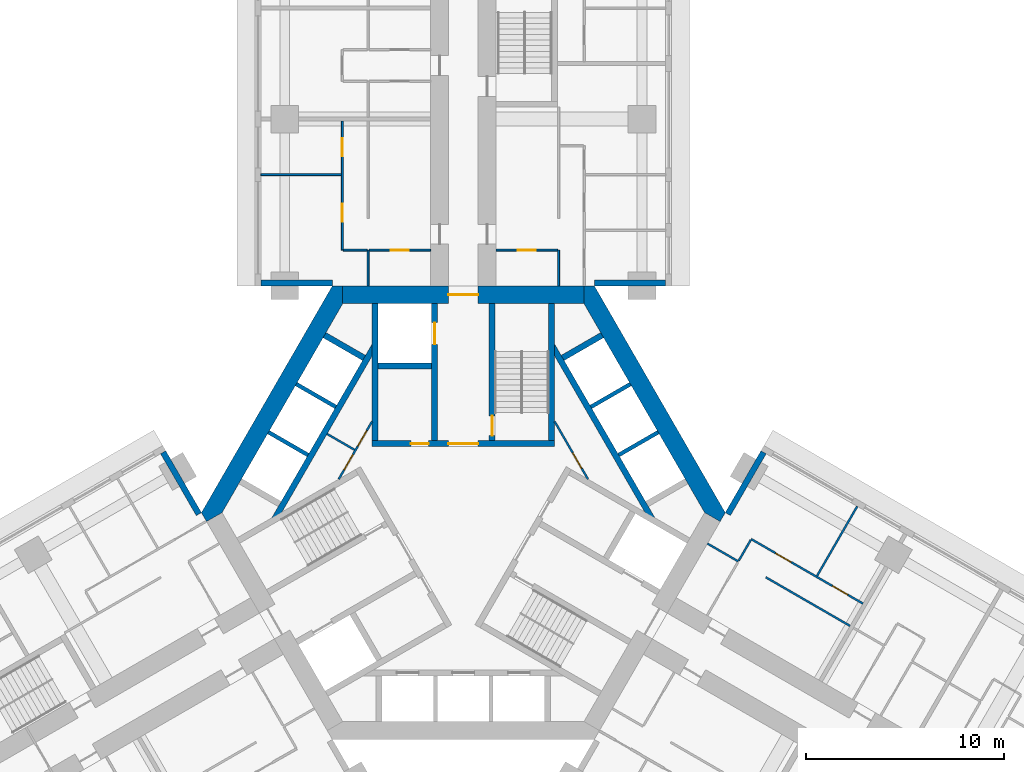
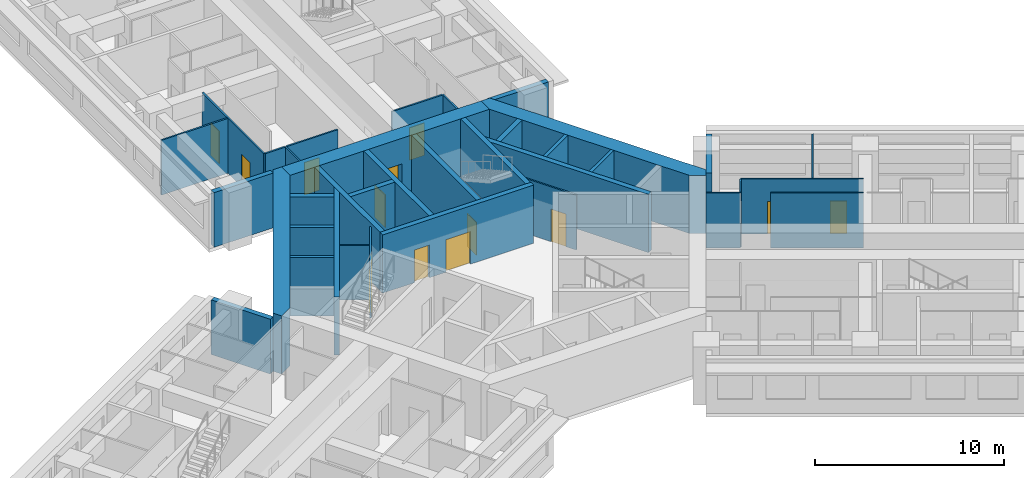
# One storey, part 8 of 16: 36 walls, 14 doors, 14 openings.
"""IFC4 building model written with IfcOpenShell, lengths in metres."""

from ifc_helpers import new_model, si_unit, direction, frame, frame_2d, origin, place, context, subcontext, project, spatial, polyline, rectangle, outline, extrude, material, layer, layer_set, type_object, element, fill, save


model = new_model("IFC4")

# Units and contexts
model_context = context("Model", 3, precision=1e-05, world=origin(), true_north=direction((0.0, 1.0)))
body_context = subcontext(model_context, "Body", "Model", "MODEL_VIEW")
ifc_project = project(units=[si_unit("LENGTHUNIT", "METRE"), si_unit("AREAUNIT", "SQUARE_METRE"), si_unit("VOLUMEUNIT", "CUBIC_METRE"), si_unit("PLANEANGLEUNIT", "RADIAN"), si_unit("MASSUNIT", "GRAM", prefix="KILO")], contexts=[model_context])

# Site, building, storey
site_placement = place(None, origin())
site = spatial("IfcSite", under=ifc_project, at=site_placement, CompositionType="ELEMENT")
building_placement = place(site_placement, origin())
building = spatial("IfcBuilding", under=site, at=building_placement, Name="Impinga Residences", CompositionType="ELEMENT")
storey_placement = place(building_placement, frame((0.0, 0.0, 63.5)))
storey = spatial("IfcBuildingStorey", under=building, at=storey_placement, Name="L15", CompositionType="ELEMENT", Elevation=63.5)

# Wall, opening, door
ifc_material_1 = material(Name="Concrete blockwork", Category="masonry")
ifc_layer_1 = layer(ifc_material_1, 0.10009765625)
ifc_layer_set_1 = layer_set([ifc_layer_1], Name="CP1 core room partition, blockwork 100")
wall_type_1 = type_object("IfcWallType", Name="CP1 core room partition, blockwork 100", PredefinedType="PARTITIONING", material=ifc_layer_set_1)
wall_1_placement = place(storey_placement, frame((4.60009765625, 4.595703125, 0.0), z_axis=(0.0, 0.0, 1.0), x_axis=(0.499976138585, -0.866039179741, 0.0)))
wall_1 = element("IfcWall", 1, at=wall_1_placement, inside=storey, type_object=wall_type_1, Name="Core room partition, blockwork L15:CORE:mid:FP", PredefinedType="PARTITIONING", context=body_context, shape_type="SweptSolid", body=[
    extrude(rectangle(XDim=3.360107421875, YDim=0.10009765625, at=frame_2d((1.68017578125, 0.0))), origin(), (0.0, 0.0, 1.0), 3.530029296875),
])
opening_1_placement = place(wall_1_placement, frame((1.829833984375, 0.0, 0.0)))
opening_1 = element("IfcOpeningElement", 2, at=opening_1_placement, cuts=wall_1, Name="Opening D6", PredefinedType="OPENING", context=body_context, shape_type="SweptSolid", body=[
    extrude(rectangle(XDim=0.89990234375, YDim=2.10009765625, at=frame_2d((0.449951171875, 1.050048828125))), frame((0.0, 0.06005859375, 0.0), z_axis=(0.0, -1.0, 0.0), x_axis=(1.0, 0.0, 0.0)), (0.0, 0.0, 1.0), 0.1201171875),
])
ifc_material_2 = material(Name="Timber door set", Category="wood")
door_type_1 = type_object("IfcDoorType", Name="D6 riser and store door 900x2100", OperationType="SINGLE_SWING_LEFT", PredefinedType="DOOR", material=ifc_material_2)
door_1_placement = place(opening_1_placement, origin())
door_1 = element("IfcDoor", 3, at=door_1_placement, inside=storey, type_object=door_type_1, Name="Residents' storage lockers door", OperationType="SINGLE_SWING_RIGHT", OverallHeight=2.10009765625, OverallWidth=0.89990234375, PredefinedType="DOOR", context=body_context, shape_type="SweptSolid", body=[
    extrude(rectangle(XDim=0.89990234375, YDim=2.10009765625, at=frame_2d((0.449951171875, 1.050048828125))), frame((0.0, 0.02490234375, 0.0), z_axis=(0.0, -1.0, 0.0), x_axis=(1.0, 0.0, 0.0)), (0.0, 0.0, 1.0), 0.050048828125),
])
fill(opening_1, door_1)

# Wall, openings, doors
wall_2_placement = place(storey_placement, frame((-6.280029296875, 1.685791015625, 0.0), z_axis=(0.0, 0.0, 1.0), x_axis=(0.499976138585, 0.866039179741, 0.0)))
wall_2 = element("IfcWall", 4, at=wall_2_placement, inside=storey, type_object=wall_type_1, Name="Core room partition, blockwork L15:CORE:high:FP", PredefinedType="PARTITIONING", context=body_context, shape_type="SweptSolid", body=[
    extrude(rectangle(XDim=3.360107421875, YDim=0.10009765625, at=frame_2d((1.68017578125, 0.0))), origin(), (0.0, 0.0, 1.0), 3.530029296875),
])
opening_2_placement = place(wall_2_placement, frame((0.530029296875, 0.0, 0.0)))
opening_2 = element("IfcOpeningElement", 5, at=opening_2_placement, cuts=wall_2, Name="Opening D6", PredefinedType="OPENING", context=body_context, shape_type="SweptSolid", body=[
    extrude(rectangle(XDim=0.89990234375, YDim=2.10009765625, at=frame_2d((0.449951171875, 1.050048828125))), frame((0.0, 0.06005859375, 0.0), z_axis=(0.0, -1.0, 0.0), x_axis=(1.0, 0.0, 0.0)), (0.0, 0.0, 1.0), 0.1201171875),
])
opening_3_placement = place(wall_2_placement, frame((1.929931640625, 0.0, 0.0)))
opening_3 = element("IfcOpeningElement", 6, at=opening_3_placement, cuts=wall_2, Name="Opening D6", PredefinedType="OPENING", context=body_context, shape_type="SweptSolid", body=[
    extrude(rectangle(XDim=0.89990234375, YDim=2.10009765625, at=frame_2d((0.449951171875, 1.050048828125))), frame((0.0, 0.06005859375, 0.0), z_axis=(0.0, -1.0, 0.0), x_axis=(1.0, 0.0, 0.0)), (0.0, 0.0, 1.0), 0.1201171875),
])
door_2_placement = place(opening_2_placement, origin())
door_2 = element("IfcDoor", 7, at=door_2_placement, inside=storey, type_object=door_type_1, Name="Refuse room door", OperationType="SINGLE_SWING_LEFT", OverallHeight=2.10009765625, OverallWidth=0.89990234375, PredefinedType="DOOR", context=body_context, shape_type="SweptSolid", body=[
    extrude(rectangle(XDim=0.89990234375, YDim=2.10009765625, at=frame_2d((0.449951171875, 1.050048828125))), frame((0.0, 0.02490234375, 0.0), z_axis=(0.0, -1.0, 0.0), x_axis=(1.0, 0.0, 0.0)), (0.0, 0.0, 1.0), 0.050048828125),
])
fill(opening_2, door_2)
door_3_placement = place(opening_3_placement, origin())
door_3 = element("IfcDoor", 8, at=door_3_placement, inside=storey, type_object=door_type_1, Name="Recycling store door", OperationType="SINGLE_SWING_RIGHT", OverallHeight=2.10009765625, OverallWidth=0.89990234375, PredefinedType="DOOR", context=body_context, shape_type="SweptSolid", body=[
    extrude(rectangle(XDim=0.89990234375, YDim=2.10009765625, at=frame_2d((0.449951171875, 1.050048828125))), frame((0.0, 0.02490234375, 0.0), z_axis=(0.0, -1.0, 0.0), x_axis=(1.0, 0.0, 0.0)), (0.0, 0.0, 1.0), 0.050048828125),
])
fill(opening_3, door_3)

# Walls
wall_3_placement = place(storey_placement, frame((-5.483154296875, 3.165771484375, 0.0), z_axis=(0.0, 0.0, 1.0), x_axis=(-0.866028054938, 0.499995408039, 0.0)))
element("IfcWall", 9, at=wall_3_placement, inside=storey, type_object=wall_type_1, Name="Core room partition, blockwork L15:CORE:high:FS", PredefinedType="PARTITIONING", context=body_context, shape_type="SweptSolid", body=[
    extrude(rectangle(XDim=1.60009765625, YDim=0.10009765625, at=frame_2d((0.800048828125, 0.0))), origin(), (0.0, 0.0, 1.0), 3.530029296875),
])
ifc_material_3 = material(Name="Terracotta rainscreen on blockwork", Category="masonry")
ifc_layer_2 = layer(ifc_material_3, 0.300048828125)
ifc_layer_set_2 = layer_set([ifc_layer_2], Name="EW1 external wall, terracotta rainscreen on blockwork 300")
wall_type_2 = type_object("IfcWallType", Name="EW1 external wall, terracotta rainscreen on blockwork 300", PredefinedType="SOLIDWALL", material=ifc_layer_set_2)
wall_4_placement = place(storey_placement, frame((-15.1298828125, 3.042724609375, 0.0), z_axis=(0.0, 0.0, 1.0), x_axis=(0.500012057535, -0.866018442252, 0.0)))
element("IfcWall", 10, at=wall_4_placement, inside=storey, type_object=wall_type_2, Name="External wall EW1 L15", PredefinedType="SOLIDWALL", context=body_context, shape_type="SweptSolid", body=[
    extrude(rectangle(XDim=3.60009765625, YDim=0.300048828125, at=frame_2d((1.800048828125, 0.0))), origin(), (0.0, 0.0, 1.0), 3.530029296875),
])
for number, where, z_axis, x_axis, name in (
    (11, (-6.60009765625, 11.58154296875, 0.0), (0.0, 0.0, 1.0), (-1.0, 0.0, 0.0), "External wall EW1 L15"),
    (12, (10.199951171875, 11.58154296875, 0.0), (0.0, 0.0, 1.0), (-1.0, 0.0, 0.0), "External wall EW1 L15"),
):
    element("IfcWall", number, at=place(storey_placement, frame(where, z_axis=z_axis, x_axis=x_axis)), inside=storey, type_object=wall_type_2, Name=name, PredefinedType="SOLIDWALL", context=body_context, shape_type="SweptSolid", body=[
        extrude(rectangle(XDim=3.599853515625, YDim=0.300048828125, at=frame_2d((1.7998046875, 0.0))), origin(), (0.0, 0.0, 1.0), 3.530029296875),
    ])
wall_5_placement = place(storey_placement, frame((13.329833984375, -0.074951171875, 0.0), z_axis=(0.0, 0.0, 1.0), x_axis=(0.500012057535, 0.866018442252, 0.0)))
element("IfcWall", 13, at=wall_5_placement, inside=storey, type_object=wall_type_2, Name="External wall EW1 L15", PredefinedType="SOLIDWALL", context=body_context, shape_type="SweptSolid", body=[
    extrude(rectangle(XDim=3.60009765625, YDim=0.300048828125, at=frame_2d((1.800048828125, 0.0))), origin(), (0.0, 0.0, 1.0), 3.530029296875),
])
ifc_material_4 = material(Name="Gypsum board on steel studs", Category="steel")
ifc_layer_3 = layer(ifc_material_4, 0.10009765625)
ifc_layer_set_3 = layer_set([ifc_layer_3], Name="Gypsum board on steel studs")
wall_type_3 = type_object("IfcWallType", Name="IP1 partition 100", PredefinedType="PARTITIONING", material=ifc_layer_set_3)
wall_6_placement = place(storey_placement, frame((-4.800048828125, 11.431640625, 0.0), z_axis=(0.0, 0.0, 1.0), x_axis=(0.0, 1.0, 0.0)))
element("IfcWall", 14, at=wall_6_placement, inside=storey, type_object=wall_type_3, Name="Partition L15-NA1:DIV0", PredefinedType="PARTITIONING", context=body_context, shape_type="SweptSolid", body=[
    extrude(rectangle(XDim=1.7998046875, YDim=0.10009765625, at=frame_2d((0.89990234375, 0.0))), origin(), (0.0, 0.0, 1.0), 3.530029296875),
])

# Wall, openings, doors
wall_7_placement = place(storey_placement, frame((-6.10009765625, 13.2314453125, 0.0), z_axis=(0.0, 0.0, 1.0), x_axis=(0.0, 1.0, 0.0)))
wall_7 = element("IfcWall", 15, at=wall_7_placement, inside=storey, type_object=wall_type_3, Name="Partition L15-NA1:STRIP", PredefinedType="PARTITIONING", context=body_context, shape_type="SweptSolid", body=[
    extrude(rectangle(XDim=6.5, YDim=0.10009765625, at=frame_2d((3.25, 0.0))), origin(), (0.0, 0.0, 1.0), 3.530029296875),
])
opening_4_placement = place(wall_7_placement, frame((1.425048828125, 0.0, 0.0)))
opening_4 = element("IfcOpeningElement", 16, at=opening_4_placement, cuts=wall_7, Name="Opening D2", PredefinedType="OPENING", context=body_context, shape_type="SweptSolid", body=[
    extrude(rectangle(XDim=0.89990234375, YDim=2.10009765625, at=frame_2d((0.449951171875, 1.050048828125))), frame((0.0, 0.06005859375, 0.0), z_axis=(0.0, -1.0, 0.0), x_axis=(1.0, 0.0, 0.0)), (0.0, 0.0, 1.0), 0.1201171875),
])
opening_5_placement = place(wall_7_placement, frame((4.72509765625, 0.0, 0.0)))
opening_5 = element("IfcOpeningElement", 17, at=opening_5_placement, cuts=wall_7, Name="Opening D2", PredefinedType="OPENING", context=body_context, shape_type="SweptSolid", body=[
    extrude(rectangle(XDim=0.89990234375, YDim=2.10009765625, at=frame_2d((0.449951171875, 1.050048828125))), frame((0.0, 0.06005859375, 0.0), z_axis=(0.0, -1.0, 0.0), x_axis=(1.0, 0.0, 0.0)), (0.0, 0.0, 1.0), 0.1201171875),
])
door_type_2 = type_object("IfcDoorType", Name="D2 internal door 900x2100", OperationType="SINGLE_SWING_LEFT", PredefinedType="DOOR", material=ifc_material_2)
door_4_placement = place(opening_4_placement, origin())
door_4 = element("IfcDoor", 18, at=door_4_placement, inside=storey, type_object=door_type_2, Name="Apartment L15-NA1 room door", OperationType="SINGLE_SWING_LEFT", OverallHeight=2.10009765625, OverallWidth=0.89990234375, PredefinedType="DOOR", context=body_context, shape_type="SweptSolid", body=[
    extrude(rectangle(XDim=0.89990234375, YDim=2.10009765625, at=frame_2d((0.449951171875, 1.050048828125))), frame((0.0, 0.02490234375, 0.0), z_axis=(0.0, -1.0, 0.0), x_axis=(1.0, 0.0, 0.0)), (0.0, 0.0, 1.0), 0.050048828125),
])
fill(opening_4, door_4)
door_5_placement = place(opening_5_placement, origin())
door_5 = element("IfcDoor", 19, at=door_5_placement, inside=storey, type_object=door_type_2, Name="Apartment L15-NA1 room door", OperationType="SINGLE_SWING_RIGHT", OverallHeight=2.10009765625, OverallWidth=0.89990234375, PredefinedType="DOOR", context=body_context, shape_type="SweptSolid", body=[
    extrude(rectangle(XDim=0.89990234375, YDim=2.10009765625, at=frame_2d((0.449951171875, 1.050048828125))), frame((0.0, 0.02490234375, 0.0), z_axis=(0.0, -1.0, 0.0), x_axis=(1.0, 0.0, 0.0)), (0.0, 0.0, 1.0), 0.050048828125),
])
fill(opening_5, door_5)

# Wall
wall_8_placement = place(storey_placement, frame((-4.85009765625, 13.2314453125, 0.0), z_axis=(0.0, 0.0, 1.0), x_axis=(-1.0, 0.0, 0.0)))
element("IfcWall", 20, at=wall_8_placement, inside=storey, type_object=wall_type_3, Name="Partition L15-NA1:SE0", PredefinedType="PARTITIONING", context=body_context, shape_type="SweptSolid", body=[
    extrude(rectangle(XDim=1.199951171875, YDim=0.10009765625, at=frame_2d((0.60009765625, 0.0))), origin(), (0.0, 0.0, 1.0), 3.530029296875),
])

# Wall, opening, door
wall_9_placement = place(storey_placement, frame((-1.64990234375, 13.2314453125, 0.0), z_axis=(0.0, 0.0, 1.0), x_axis=(-1.0, 0.0, 0.0)))
wall_9 = element("IfcWall", 21, at=wall_9_placement, inside=storey, type_object=wall_type_3, Name="Partition L15-NA1:IB1", PredefinedType="PARTITIONING", context=body_context, shape_type="SweptSolid", body=[
    extrude(rectangle(XDim=3.10009765625, YDim=0.10009765625, at=frame_2d((1.550048828125, 0.0))), origin(), (0.0, 0.0, 1.0), 3.530029296875),
])
opening_6_placement = place(wall_9_placement, frame((1.10009765625, 0.0, 0.0)))
opening_6 = element("IfcOpeningElement", 22, at=opening_6_placement, cuts=wall_9, Name="Opening D2", PredefinedType="OPENING", context=body_context, shape_type="SweptSolid", body=[
    extrude(rectangle(XDim=0.89990234375, YDim=2.10009765625, at=frame_2d((0.449951171875, 1.050048828125))), frame((0.0, 0.06005859375, 0.0), z_axis=(0.0, -1.0, 0.0), x_axis=(1.0, 0.0, 0.0)), (0.0, 0.0, 1.0), 0.1201171875),
])
door_6_placement = place(opening_6_placement, origin())
door_6 = element("IfcDoor", 23, at=door_6_placement, inside=storey, type_object=door_type_2, Name="Apartment L15-NA1 bathroom door", OperationType="SINGLE_SWING_LEFT", OverallHeight=2.10009765625, OverallWidth=0.89990234375, PredefinedType="DOOR", context=body_context, shape_type="SweptSolid", body=[
    extrude(rectangle(XDim=0.89990234375, YDim=2.10009765625, at=frame_2d((0.449951171875, 1.050048828125))), frame((0.0, 0.02490234375, 0.0), z_axis=(0.0, -1.0, 0.0), x_axis=(1.0, 0.0, 0.0)), (0.0, 0.0, 1.0), 0.050048828125),
])
fill(opening_6, door_6)

# Walls
wall_10_placement = place(storey_placement, frame((-6.14990234375, 17.031494140625, 0.0), z_axis=(0.0, 0.0, 1.0), x_axis=(-1.0, 0.0, 0.0)))
element("IfcWall", 24, at=wall_10_placement, inside=storey, type_object=wall_type_3, Name="Partition L15-NA1:OB1", PredefinedType="PARTITIONING", context=body_context, shape_type="SweptSolid", body=[
    extrude(rectangle(XDim=4.050048828125, YDim=0.10009765625, at=frame_2d((2.02490234375, 0.0))), origin(), (0.0, 0.0, 1.0), 3.530029296875),
])
wall_11_placement = place(storey_placement, frame((4.800048828125, 11.431640625, 0.0), z_axis=(0.0, 0.0, 1.0), x_axis=(0.0, 1.0, 0.0)))
element("IfcWall", 25, at=wall_11_placement, inside=storey, type_object=wall_type_3, Name="Partition L15-NF1:DIV0", PredefinedType="PARTITIONING", context=body_context, shape_type="SweptSolid", body=[
    extrude(rectangle(XDim=1.7998046875, YDim=0.10009765625, at=frame_2d((0.89990234375, 0.0))), origin(), (0.0, 0.0, 1.0), 3.530029296875),
])

# Wall, opening, door
wall_12_placement = place(storey_placement, frame((1.64990234375, 13.2314453125, 0.0), z_axis=(0.0, 0.0, 1.0), x_axis=(1.0, 0.0, 0.0)))
wall_12 = element("IfcWall", 26, at=wall_12_placement, inside=storey, type_object=wall_type_3, Name="Partition L15-NF1:IB1", PredefinedType="PARTITIONING", context=body_context, shape_type="SweptSolid", body=[
    extrude(rectangle(XDim=3.10009765625, YDim=0.10009765625, at=frame_2d((1.550048828125, 0.0))), origin(), (0.0, 0.0, 1.0), 3.530029296875),
])
opening_7_placement = place(wall_12_placement, frame((1.10009765625, 0.0, 0.0)))
opening_7 = element("IfcOpeningElement", 27, at=opening_7_placement, cuts=wall_12, Name="Opening D2", PredefinedType="OPENING", context=body_context, shape_type="SweptSolid", body=[
    extrude(rectangle(XDim=0.89990234375, YDim=2.10009765625, at=frame_2d((0.449951171875, 1.050048828125))), frame((0.0, 0.06005859375, 0.0), z_axis=(0.0, -1.0, 0.0), x_axis=(1.0, 0.0, 0.0)), (0.0, 0.0, 1.0), 0.1201171875),
])
door_7_placement = place(opening_7_placement, origin())
door_7 = element("IfcDoor", 28, at=door_7_placement, inside=storey, type_object=door_type_2, Name="Apartment L15-NF1 bathroom door", OperationType="SINGLE_SWING_LEFT", OverallHeight=2.10009765625, OverallWidth=0.89990234375, PredefinedType="DOOR", context=body_context, shape_type="SweptSolid", body=[
    extrude(rectangle(XDim=0.89990234375, YDim=2.10009765625, at=frame_2d((0.449951171875, 1.050048828125))), frame((0.0, 0.02490234375, 0.0), z_axis=(0.0, -1.0, 0.0), x_axis=(1.0, 0.0, 0.0)), (0.0, 0.0, 1.0), 0.050048828125),
])
fill(opening_7, door_7)

# Walls
wall_13_placement = place(storey_placement, frame((12.300048828125, -1.558837890625, 0.0), z_axis=(0.0, 0.0, 1.0), x_axis=(0.866047807691, -0.499961193289, 0.0)))
element("IfcWall", 29, at=wall_13_placement, inside=storey, type_object=wall_type_3, Name="Partition L15-EA1:DIV0", PredefinedType="PARTITIONING", context=body_context, shape_type="SweptSolid", body=[
    extrude(rectangle(XDim=1.800048828125, YDim=0.10009765625, at=frame_2d((0.89990234375, 0.0))), origin(), (0.0, 0.0, 1.0), 3.530029296875),
])
wall_14_placement = place(storey_placement, frame((15.244384765625, -3.2587890625, 0.0), z_axis=(0.0, 0.0, 1.0), x_axis=(0.866036242063, -0.49998122708, 0.0)))
element("IfcWall", 30, at=wall_14_placement, inside=storey, type_object=wall_type_3, Name="Partition L15-EA1:DIV1", PredefinedType="PARTITIONING", context=body_context, shape_type="SweptSolid", body=[
    extrude(rectangle(XDim=4.900146484375, YDim=0.10009765625, at=frame_2d((2.4501953125, 0.0))), origin(), (0.0, 0.0, 1.0), 3.530029296875),
])

# Wall, openings, doors
wall_15_placement = place(storey_placement, frame((14.5087890625, -1.3330078125, 0.0), z_axis=(0.0, 0.0, 1.0), x_axis=(0.866024837091, -0.50000098154, 0.0)))
wall_15 = element("IfcWall", 31, at=wall_15_placement, inside=storey, type_object=wall_type_3, Name="Partition L15-EA1:STRIP", PredefinedType="PARTITIONING", context=body_context, shape_type="SweptSolid", body=[
    extrude(rectangle(XDim=6.5, YDim=0.10009765625, at=frame_2d((3.25, 0.0))), origin(), (0.0, 0.0, 1.0), 3.530029296875),
])
opening_8_placement = place(wall_15_placement, frame((1.425048828125, 0.0, 0.0)))
opening_8 = element("IfcOpeningElement", 32, at=opening_8_placement, cuts=wall_15, Name="Opening D2", PredefinedType="OPENING", context=body_context, shape_type="SweptSolid", body=[
    extrude(rectangle(XDim=0.89990234375, YDim=2.10009765625, at=frame_2d((0.449951171875, 1.050048828125))), frame((0.0, 0.06005859375, 0.0), z_axis=(0.0, -1.0, 0.0), x_axis=(1.0, 0.0, 0.0)), (0.0, 0.0, 1.0), 0.1201171875),
])
opening_9_placement = place(wall_15_placement, frame((4.72509765625, 0.0, 0.0)))
opening_9 = element("IfcOpeningElement", 33, at=opening_9_placement, cuts=wall_15, Name="Opening D2", PredefinedType="OPENING", context=body_context, shape_type="SweptSolid", body=[
    extrude(rectangle(XDim=0.89990234375, YDim=2.10009765625, at=frame_2d((0.449951171875, 1.050048828125))), frame((0.0, 0.06005859375, 0.0), z_axis=(0.0, -1.0, 0.0), x_axis=(1.0, 0.0, 0.0)), (0.0, 0.0, 1.0), 0.1201171875),
])
door_8_placement = place(opening_8_placement, origin())
door_8 = element("IfcDoor", 34, at=door_8_placement, inside=storey, type_object=door_type_2, Name="Apartment L15-EA1 room door", OperationType="SINGLE_SWING_LEFT", OverallHeight=2.10009765625, OverallWidth=0.89990234375, PredefinedType="DOOR", context=body_context, shape_type="SweptSolid", body=[
    extrude(rectangle(XDim=0.89990234375, YDim=2.10009765625, at=frame_2d((0.449951171875, 1.050048828125))), frame((0.0, 0.02490234375, 0.0), z_axis=(0.0, -1.0, 0.0), x_axis=(1.0, 0.0, 0.0)), (0.0, 0.0, 1.0), 0.050048828125),
])
fill(opening_8, door_8)
door_9_placement = place(opening_9_placement, origin())
door_9 = element("IfcDoor", 35, at=door_9_placement, inside=storey, type_object=door_type_2, Name="Apartment L15-EA1 room door", OperationType="SINGLE_SWING_RIGHT", OverallHeight=2.10009765625, OverallWidth=0.89990234375, PredefinedType="DOOR", context=body_context, shape_type="SweptSolid", body=[
    extrude(rectangle(XDim=0.89990234375, YDim=2.10009765625, at=frame_2d((0.449951171875, 1.050048828125))), frame((0.0, 0.02490234375, 0.0), z_axis=(0.0, -1.0, 0.0), x_axis=(1.0, 0.0, 0.0)), (0.0, 0.0, 1.0), 0.050048828125),
])
fill(opening_9, door_9)

# Walls
wall_16_placement = place(storey_placement, frame((13.8837890625, -2.41552734375, 0.0), z_axis=(0.0, 0.0, 1.0), x_axis=(0.500033551112, 0.866006032174, 0.0)))
element("IfcWall", 36, at=wall_16_placement, inside=storey, type_object=wall_type_3, Name="Partition L15-EA1:SE0", PredefinedType="PARTITIONING", context=body_context, shape_type="SweptSolid", body=[
    extrude(rectangle(XDim=1.2001953125, YDim=0.10009765625, at=frame_2d((0.60009765625, 0.0))), origin(), (0.0, 0.0, 1.0), 3.530029296875),
])
wall_17_placement = place(storey_placement, frame((17.82470703125, -3.189697265625, 0.0), z_axis=(0.0, 0.0, 1.0), x_axis=(0.500035537042, 0.866004885491, 0.0)))
element("IfcWall", 37, at=wall_17_placement, inside=storey, type_object=wall_type_3, Name="Partition L15-EA1:OB1", PredefinedType="PARTITIONING", context=body_context, shape_type="SweptSolid", body=[
    extrude(rectangle(XDim=4.050048828125, YDim=0.10009765625, at=frame_2d((2.02490234375, 0.0))), origin(), (0.0, 0.0, 1.0), 3.530029296875),
])

# Wall, opening, door
ifc_material_5 = material(Name="Concrete C70/85", Category="concrete")
ifc_layer_4 = layer(ifc_material_5, 0.89990234375)
ifc_layer_set_4 = layer_set([ifc_layer_4], Name="Concrete C70/85")
wall_type_4 = type_object("IfcWallType", Name="SW1 core wall 900", PredefinedType="SHEAR", material=ifc_layer_set_4)
wall_18_placement = place(storey_placement, frame((-6.080322265625, 10.9814453125, 0.0), z_axis=(0.0, 0.0, 1.0), x_axis=(1.0, 0.0, 0.0)))
wall_18 = element("IfcWall", 38, at=wall_18_placement, inside=storey, type_object=wall_type_4, Name="Core wall SW1 N:FACE L15", PredefinedType="SHEAR", context=body_context, shape_type="SweptSolid", body=[
    extrude(rectangle(XDim=12.16064453125, YDim=0.89990234375, at=frame_2d((6.080322265625, 0.0))), origin(), (0.0, 0.0, 1.0), 3.75),
])
opening_10_placement = place(wall_18_placement, frame((5.330322265625, 0.0, 0.0)))
opening_10 = element("IfcOpeningElement", 39, at=opening_10_placement, cuts=wall_18, Name="Opening D4", PredefinedType="OPENING", context=body_context, shape_type="SweptSolid", body=[
    extrude(rectangle(XDim=1.5, YDim=2.10009765625, at=frame_2d((0.75, 1.050048828125))), frame((0.0, 0.4599609375, 0.0), z_axis=(0.0, -1.0, 0.0), x_axis=(1.0, 0.0, 0.0)), (0.0, 0.0, 1.0), 0.919921875),
])
door_type_3 = type_object("IfcDoorType", Name="D4 lobby door pair 1500x2100", OperationType="DOUBLE_DOOR_DOUBLE_SWING", PredefinedType="DOOR", material=ifc_material_2)
door_10_placement = place(opening_10_placement, origin())
door_10 = element("IfcDoor", 40, at=door_10_placement, inside=storey, type_object=door_type_3, Name="Lobby door N", OperationType="DOUBLE_DOOR_DOUBLE_SWING", OverallHeight=2.10009765625, OverallWidth=1.5, PredefinedType="DOOR", context=body_context, shape_type="SweptSolid", body=[
    extrude(rectangle(XDim=1.5, YDim=2.10009765625, at=frame_2d((0.75, 1.050048828125))), frame((0.0, 0.02490234375, 0.0), z_axis=(0.0, -1.0, 0.0), x_axis=(1.0, 0.0, 0.0)), (0.0, 0.0, 1.0), 0.050048828125),
])
fill(opening_10, door_10)

# Walls
wall_19_placement = place(storey_placement, origin())
element("IfcWall", 41, at=wall_19_placement, inside=storey, type_object=wall_type_4, Name="Core wall SW1 W:EXPOSED L15", PredefinedType="SHEAR", context=body_context, shape_type="SweptSolid", body=[
    extrude(outline(polyline([(13.199951171875, 0.0), (6.60009765625, 11.431640625), (6.080322265625, 11.431640625), (6.080322265625, 10.531494140625), (12.160888671875, 0.0), (12.940185546875, -0.449951171875), (13.199951171875, 0.0)])), origin(), (0.0, 0.0, 1.0), 3.75),
])
wall_20_placement = place(storey_placement, origin())
element("IfcWall", 42, at=wall_20_placement, inside=storey, type_object=wall_type_4, Name="Core wall SW1 E:EXPOSED L15", PredefinedType="SHEAR", context=body_context, shape_type="SweptSolid", body=[
    extrude(outline(polyline([(-6.60009765625, 11.431640625), (-13.199951171875, 0.0), (-12.940185546875, -0.449951171875), (-12.160888671875, 0.0), (-6.080322265625, 10.531494140625), (-6.080322265625, 11.431640625), (-6.60009765625, 11.431640625)])), origin(), (0.0, 0.0, 1.0), 3.75),
])

# Wall, openings, doors
ifc_layer_5 = layer(ifc_material_5, 0.300048828125)
ifc_layer_set_5 = layer_set([ifc_layer_5], Name="Concrete C70/85")
wall_type_5 = type_object("IfcWallType", Name="SW5 core inner wall, stairs, shafts and lobbies 300", PredefinedType="SHEAR", material=ifc_layer_set_5)
wall_21_placement = place(storey_placement, frame((-4.60009765625, 3.47998046875, 0.0), z_axis=(0.0, 0.0, 1.0), x_axis=(1.0, 0.0, 0.0)))
wall_21 = element("IfcWall", 43, at=wall_21_placement, inside=storey, type_object=wall_type_5, Name="Core wall SW5 N:ZONE L15", PredefinedType="SHEAR", context=body_context, shape_type="SweptSolid", body=[
    extrude(rectangle(XDim=9.2001953125, YDim=0.300048828125, at=frame_2d((4.60009765625, 0.0))), origin(), (0.0, 0.0, 1.0), 3.75),
])
opening_11_placement = place(wall_21_placement, frame((3.85009765625, 0.0, 0.0)))
opening_11 = element("IfcOpeningElement", 44, at=opening_11_placement, cuts=wall_21, Name="Opening D4", PredefinedType="OPENING", context=body_context, shape_type="SweptSolid", body=[
    extrude(rectangle(XDim=1.5, YDim=2.10009765625, at=frame_2d((0.75, 1.050048828125))), frame((0.0, 0.159912109375, 0.0), z_axis=(0.0, -1.0, 0.0), x_axis=(1.0, 0.0, 0.0)), (0.0, 0.0, 1.0), 0.320068359375),
])
opening_12_placement = place(wall_21_placement, frame((1.949951171875, 0.0, 0.0)))
opening_12 = element("IfcOpeningElement", 45, at=opening_12_placement, cuts=wall_21, Name="Opening D6", PredefinedType="OPENING", context=body_context, shape_type="SweptSolid", body=[
    extrude(rectangle(XDim=0.89990234375, YDim=2.10009765625, at=frame_2d((0.449951171875, 1.050048828125))), frame((0.0, 0.159912109375, 0.0), z_axis=(0.0, -1.0, 0.0), x_axis=(1.0, 0.0, 0.0)), (0.0, 0.0, 1.0), 0.320068359375),
])
door_11_placement = place(opening_11_placement, origin())
door_11 = element("IfcDoor", 46, at=door_11_placement, inside=storey, type_object=door_type_3, Name="Firefighting lobby door N", OperationType="DOUBLE_DOOR_DOUBLE_SWING", OverallHeight=2.10009765625, OverallWidth=1.5, PredefinedType="DOOR", context=body_context, shape_type="SweptSolid", body=[
    extrude(rectangle(XDim=1.5, YDim=2.10009765625, at=frame_2d((0.75, 1.050048828125))), frame((0.0, 0.02490234375, 0.0), z_axis=(0.0, -1.0, 0.0), x_axis=(1.0, 0.0, 0.0)), (0.0, 0.0, 1.0), 0.050048828125),
])
fill(opening_11, door_11)
door_12_placement = place(opening_12_placement, origin())
door_12 = element("IfcDoor", 47, at=door_12_placement, inside=storey, type_object=door_type_1, Name="Riser door N", OperationType="SINGLE_SWING_LEFT", OverallHeight=2.10009765625, OverallWidth=0.89990234375, PredefinedType="DOOR", context=body_context, shape_type="SweptSolid", body=[
    extrude(rectangle(XDim=0.89990234375, YDim=2.10009765625, at=frame_2d((0.449951171875, 1.050048828125))), frame((0.0, 0.02490234375, 0.0), z_axis=(0.0, -1.0, 0.0), x_axis=(1.0, 0.0, 0.0)), (0.0, 0.0, 1.0), 0.050048828125),
])
fill(opening_12, door_12)

# Wall, opening, door
wall_22_placement = place(storey_placement, frame((1.449951171875, 3.6298828125, 0.0), z_axis=(0.0, 0.0, 1.0), x_axis=(0.0, 1.0, 0.0)))
wall_22 = element("IfcWall", 48, at=wall_22_placement, inside=storey, type_object=wall_type_5, Name="Core wall SW5 N:ST-IN L15", PredefinedType="SHEAR", context=body_context, shape_type="SweptSolid", body=[
    extrude(rectangle(XDim=6.901611328125, YDim=0.300048828125, at=frame_2d((3.45068359375, 0.0))), origin(), (0.0, 0.0, 1.0), 3.75),
])
opening_13_placement = place(wall_22_placement, frame((0.25, 0.0, 0.0)))
opening_13 = element("IfcOpeningElement", 49, at=opening_13_placement, cuts=wall_22, Name="Opening D5", PredefinedType="OPENING", context=body_context, shape_type="SweptSolid", body=[
    extrude(rectangle(XDim=1.0, YDim=2.10009765625, at=frame_2d((0.5, 1.050048828125))), frame((0.0, 0.159912109375, 0.0), z_axis=(0.0, -1.0, 0.0), x_axis=(1.0, 0.0, 0.0)), (0.0, 0.0, 1.0), 0.320068359375),
])
door_type_4 = type_object("IfcDoorType", Name="D5 stair door 1000x2100", OperationType="SINGLE_SWING_LEFT", PredefinedType="DOOR", material=ifc_material_2)
door_13_placement = place(opening_13_placement, origin())
door_13 = element("IfcDoor", 50, at=door_13_placement, inside=storey, type_object=door_type_4, Name="Stair door N", OperationType="SINGLE_SWING_LEFT", OverallHeight=2.10009765625, OverallWidth=1.0, PredefinedType="DOOR", context=body_context, shape_type="SweptSolid", body=[
    extrude(rectangle(XDim=1.0, YDim=2.10009765625, at=frame_2d((0.5, 1.050048828125))), frame((0.0, 0.02490234375, 0.0), z_axis=(0.0, -1.0, 0.0), x_axis=(1.0, 0.0, 0.0)), (0.0, 0.0, 1.0), 0.050048828125),
])
fill(opening_13, door_13)

# Wall
wall_23_placement = place(storey_placement, frame((4.449951171875, 3.6298828125, 0.0), z_axis=(0.0, 0.0, 1.0), x_axis=(0.0, 1.0, 0.0)))
element("IfcWall", 51, at=wall_23_placement, inside=storey, type_object=wall_type_5, Name="Core wall SW5 N:ST-OUT L15", PredefinedType="SHEAR", context=body_context, shape_type="SweptSolid", body=[
    extrude(rectangle(XDim=6.901611328125, YDim=0.300048828125, at=frame_2d((3.45068359375, 0.0))), origin(), (0.0, 0.0, 1.0), 3.75),
])

# Wall, opening, door
wall_24_placement = place(storey_placement, frame((-1.449951171875, 3.6298828125, 0.0), z_axis=(0.0, 0.0, 1.0), x_axis=(0.0, 1.0, 0.0)))
wall_24 = element("IfcWall", 52, at=wall_24_placement, inside=storey, type_object=wall_type_5, Name="Core wall SW5 N:FF-IN L15", PredefinedType="SHEAR", context=body_context, shape_type="SweptSolid", body=[
    extrude(rectangle(XDim=6.901611328125, YDim=0.300048828125, at=frame_2d((3.45068359375, 0.0))), origin(), (0.0, 0.0, 1.0), 3.75),
])
opening_14_placement = place(wall_24_placement, frame((4.85009765625, 0.0, 0.0)))
opening_14 = element("IfcOpeningElement", 53, at=opening_14_placement, cuts=wall_24, Name="Opening LD2", PredefinedType="OPENING", context=body_context, shape_type="SweptSolid", body=[
    extrude(rectangle(XDim=1.10009765625, YDim=2.10009765625, at=frame_2d((0.550048828125, 1.050048828125))), frame((0.0, 0.159912109375, 0.0), z_axis=(0.0, -1.0, 0.0), x_axis=(1.0, 0.0, 0.0)), (0.0, 0.0, 1.0), 0.320068359375),
])
ifc_material_6 = material(Name="Steel lift landing door", Category="steel")
door_type_5 = type_object("IfcDoorType", Name="LD2 firefighting lift landing door 1100x2100", OperationType="DOUBLE_DOOR_SLIDING", PredefinedType="DOOR", material=ifc_material_6)
door_14_placement = place(opening_14_placement, origin())
door_14 = element("IfcDoor", 54, at=door_14_placement, inside=storey, type_object=door_type_5, Name="Firefighting lift landing door F1", OperationType="DOUBLE_DOOR_SLIDING", OverallHeight=2.10009765625, OverallWidth=1.10009765625, PredefinedType="DOOR", context=body_context, shape_type="SweptSolid", body=[
    extrude(rectangle(XDim=1.10009765625, YDim=2.10009765625, at=frame_2d((0.550048828125, 1.050048828125))), frame((0.0, 0.02490234375, 0.0), z_axis=(0.0, -1.0, 0.0), x_axis=(1.0, 0.0, 0.0)), (0.0, 0.0, 1.0), 0.050048828125),
])
fill(opening_14, door_14)

# Walls
wall_25_placement = place(storey_placement, frame((-4.449951171875, 3.6298828125, 0.0), z_axis=(0.0, 0.0, 1.0), x_axis=(0.0, 1.0, 0.0)))
element("IfcWall", 55, at=wall_25_placement, inside=storey, type_object=wall_type_5, Name="Core wall SW5 N:FF-OUT L15", PredefinedType="SHEAR", context=body_context, shape_type="SweptSolid", body=[
    extrude(rectangle(XDim=6.901611328125, YDim=0.300048828125, at=frame_2d((3.45068359375, 0.0))), origin(), (0.0, 0.0, 1.0), 3.75),
])
wall_26_placement = place(storey_placement, frame((-4.300048828125, 7.3798828125, 0.0), z_axis=(0.0, 0.0, 1.0), x_axis=(1.0, 0.0, 0.0)))
element("IfcWall", 56, at=wall_26_placement, inside=storey, type_object=wall_type_5, Name="Core wall SW5 N:FF-RS L15", PredefinedType="SHEAR", context=body_context, shape_type="SweptSolid", body=[
    extrude(rectangle(XDim=2.699951171875, YDim=0.300048828125, at=frame_2d((1.35009765625, 0.0))), origin(), (0.0, 0.0, 1.0), 3.75),
])
wall_27_placement = place(storey_placement, frame((4.449951171875, 8.455322265625, 0.0), z_axis=(0.0, 0.0, 1.0), x_axis=(0.500002290144, -0.866024081565, 0.0)))
element("IfcWall", 57, at=wall_27_placement, inside=storey, type_object=wall_type_5, Name="Core wall SW5 W:BANK-FRONT L15", PredefinedType="SHEAR", context=body_context, shape_type="SweptSolid", body=[
    extrude(rectangle(XDim=10.1953125, YDim=0.300048828125, at=frame_2d((5.09765625, 0.0))), origin(), (0.0, 0.0, 1.0), 3.75),
])
wall_28_placement = place(storey_placement, frame((5.003662109375, 7.79638671875, 0.0), z_axis=(0.0, 0.0, 1.0), x_axis=(0.866053019151, 0.499952165731, 0.0)))
element("IfcWall", 58, at=wall_28_placement, inside=storey, type_object=wall_type_5, Name="Core wall SW5 W:BANK-L L15", PredefinedType="SHEAR", context=body_context, shape_type="SweptSolid", body=[
    extrude(rectangle(XDim=2.300048828125, YDim=0.300048828125, at=frame_2d((1.14990234375, 0.0))), origin(), (0.0, 0.0, 1.0), 3.75),
])
wall_29_placement = place(storey_placement, frame((-9.547607421875, -0.3740234375, 0.0), z_axis=(0.0, 0.0, 1.0), x_axis=(0.500002290144, 0.866024081565, 0.0)))
element("IfcWall", 59, at=wall_29_placement, inside=storey, type_object=wall_type_5, Name="Core wall SW5 E:BANK-FRONT L15", PredefinedType="SHEAR", context=body_context, shape_type="SweptSolid", body=[
    extrude(rectangle(XDim=10.1953125, YDim=0.300048828125, at=frame_2d((5.09765625, 0.0))), origin(), (0.0, 0.0, 1.0), 3.75),
])
wall_30_placement = place(storey_placement, frame((-5.003662109375, 7.79638671875, 0.0), z_axis=(0.0, 0.0, 1.0), x_axis=(-0.866053019151, 0.499952165731, 0.0)))
element("IfcWall", 60, at=wall_30_placement, inside=storey, type_object=wall_type_5, Name="Core wall SW5 E:BANK-R L15", PredefinedType="SHEAR", context=body_context, shape_type="SweptSolid", body=[
    extrude(rectangle(XDim=2.300048828125, YDim=0.300048828125, at=frame_2d((1.14990234375, 0.0))), origin(), (0.0, 0.0, 1.0), 3.75),
])
ifc_layer_6 = layer(ifc_material_5, 0.199951171875)
ifc_layer_set_6 = layer_set([ifc_layer_6], Name="Concrete C70/85")
wall_type_6 = type_object("IfcWallType", Name="SW6 lift shaft divider wall 200", PredefinedType="SHEAR", material=ifc_layer_set_6)
for number, where, z_axis, x_axis, name in (
    (61, (6.4287109375, 5.328125, 0.0), (0.0, 0.0, 1.0), (0.866007057882, 0.500031774688, 0.0), "Core wall SW6 W:BANK-D1 L15"),
    (62, (7.82861328125, 2.9033203125, 0.0), (0.0, 0.0, 1.0), (0.866053019151, 0.499952165731, 0.0), "Core wall SW6 W:BANK-D2 L15"),
    (63, (-7.82861328125, 2.9033203125, 0.0), (0.0, 0.0, 1.0), (-0.866053019151, 0.499952165731, 0.0), "Core wall SW6 E:BANK-D1 L15"),
    (64, (-6.4287109375, 5.328125, 0.0), (0.0, 0.0, 1.0), (-0.866007057882, 0.500031774688, 0.0), "Core wall SW6 E:BANK-D2 L15"),
):
    element("IfcWall", number, at=place(storey_placement, frame(where, z_axis=z_axis, x_axis=x_axis)), inside=storey, type_object=wall_type_6, Name=name, PredefinedType="SHEAR", context=body_context, shape_type="SweptSolid", body=[
        extrude(rectangle(XDim=2.300048828125, YDim=0.199951171875, at=frame_2d((1.14990234375, 0.0))), origin(), (0.0, 0.0, 1.0), 3.75),
    ])

save(model, "model.ifc")
